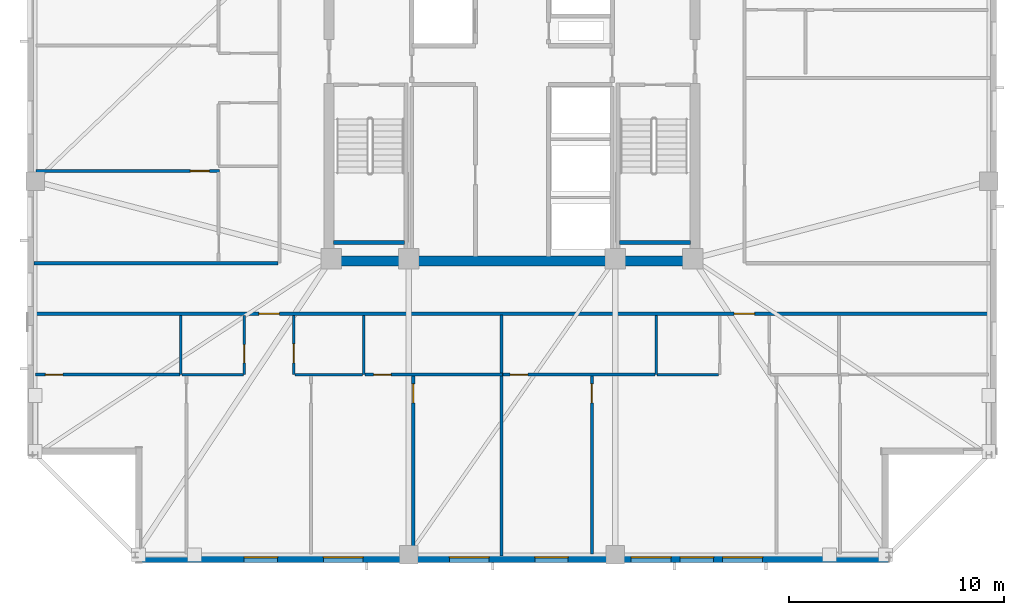
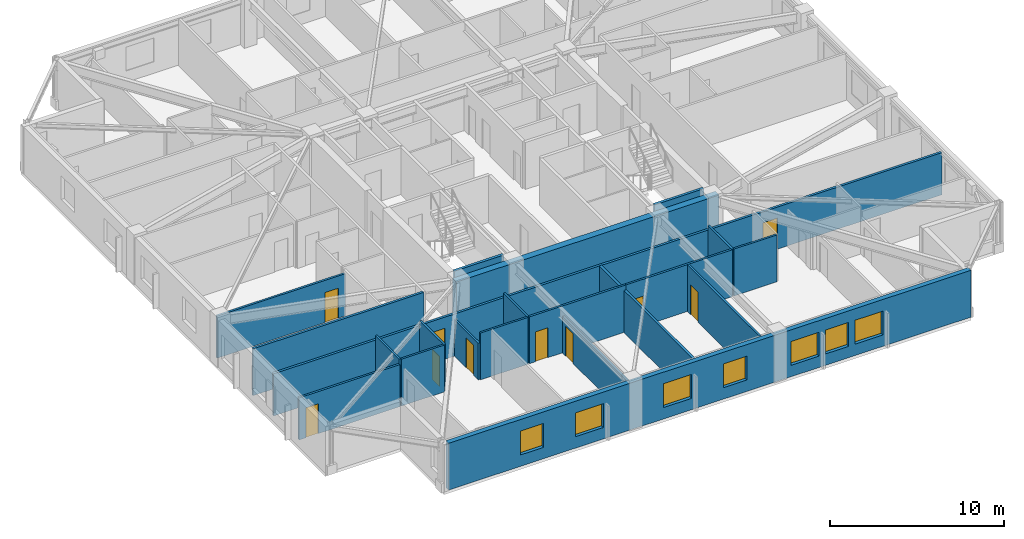
# One storey, part 7 of 17: 21 walls, 10 doors, 7 windows, 17 openings.
"""IFC4 building model written with IfcOpenShell, lengths in metres."""

from ifc_helpers import new_model, si_unit, direction, frame, frame_2d, origin, place, context, subcontext, project, spatial, rectangle, extrude, material, layer, layer_set, type_object, element, fill, save


model = new_model("IFC4")

# Units and contexts
model_context = context("Model", 3, precision=1e-05, world=origin(), true_north=direction((0.0, 1.0)))
body_context = subcontext(model_context, "Body", "Model", "MODEL_VIEW")
ifc_project = project(units=[si_unit("LENGTHUNIT", "METRE"), si_unit("AREAUNIT", "SQUARE_METRE"), si_unit("VOLUMEUNIT", "CUBIC_METRE"), si_unit("PLANEANGLEUNIT", "RADIAN"), si_unit("MASSUNIT", "GRAM", prefix="KILO")], contexts=[model_context])

# Site, building, storey
site_placement = place(None, origin())
site = spatial("IfcSite", under=ifc_project, at=site_placement, CompositionType="ELEMENT")
building_placement = place(site_placement, origin())
building = spatial("IfcBuilding", under=site, at=building_placement, Name="Cairnveth Concourse Tower", CompositionType="ELEMENT")
storey_placement = place(building_placement, frame((0.0, 0.0, 202.5)))
storey = spatial("IfcBuildingStorey", under=building, at=storey_placement, Name="L55", CompositionType="ELEMENT", Elevation=202.5)

# Wall, openings, doors
ifc_material_1 = material(Name="Gypsum Plasterboard Partition", Category="gypsum")
ifc_layer_1 = layer(ifc_material_1, 0.159912109375)
ifc_layer_set_1 = layer_set([ifc_layer_1], Name="Gypsum Plasterboard Partition")
wall_type_1 = type_object("IfcWallType", Name="ACOUSTIC PARTY WALL 180", PredefinedType="PARTITIONING", material=ifc_layer_set_1)
wall_1_placement = place(storey_placement, frame((29.804931640625, 28.050048828125, 0.0), z_axis=(0.0, 0.0, 1.0), x_axis=(1.0, 0.0, 0.0)))
wall_1 = element("IfcWall", 1, at=wall_1_placement, inside=storey, type_object=wall_type_1, Name="Interior Wall IW-L55-036", PredefinedType="PARTITIONING", context=body_context, shape_type="SweptSolid", body=[
    extrude(rectangle(XDim=44.39013671875, YDim=0.159912109375, at=frame_2d((22.195068359375, 0.0))), origin(), (0.0, 0.0, 1.0), 2.9580078125),
])
opening_1_placement = place(wall_1_placement, frame((10.43115234375, 0.0, 0.0)))
opening_1 = element("IfcOpeningElement", 2, at=opening_1_placement, cuts=wall_1, Name="Opening ID10", PredefinedType="OPENING", context=body_context, shape_type="SweptSolid", body=[
    extrude(rectangle(XDim=0.9599609375, YDim=2.179931640625, at=frame_2d((0.47998046875, 1.08984375))), frame((0.0, 0.08984375, 0.0), z_axis=(0.0, -1.0, 0.0), x_axis=(1.0, 0.0, 0.0)), (0.0, 0.0, 1.0), 0.179931640625),
])
opening_2_placement = place(wall_1_placement, frame((32.51123046875, 0.0, 0.0)))
opening_2 = element("IfcOpeningElement", 3, at=opening_2_placement, cuts=wall_1, Name="Opening ID10", PredefinedType="OPENING", context=body_context, shape_type="SweptSolid", body=[
    extrude(rectangle(XDim=0.9599609375, YDim=2.179931640625, at=frame_2d((0.47998046875, 1.08984375))), frame((0.0, 0.08984375, 0.0), z_axis=(0.0, -1.0, 0.0), x_axis=(1.0, 0.0, 0.0)), (0.0, 0.0, 1.0), 0.179931640625),
])
ifc_material_2 = material(Name="Solid Core Hardwood Timber Leaf", Category="wood")
door_type_1 = type_object("IfcDoorType", Name="FLAT ENTRANCE DOOR 960X2150", OperationType="NOTDEFINED", PredefinedType="DOOR", material=ifc_material_2)
door_1_placement = place(opening_1_placement, origin())
door_1 = element("IfcDoor", 4, at=door_1_placement, inside=storey, type_object=door_type_1, Name="Apartment L55S1 Entrance Door", OperationType="SINGLE_SWING_LEFT", OverallHeight=2.179931640625, OverallWidth=0.9599609375, PredefinedType="DOOR", context=body_context, shape_type="SweptSolid", body=[
    extrude(rectangle(XDim=0.9599609375, YDim=2.179931640625, at=frame_2d((0.47998046875, 1.08984375))), frame((0.0, 0.02490234375, 0.0), z_axis=(0.0, -1.0, 0.0), x_axis=(1.0, 0.0, 0.0)), (0.0, 0.0, 1.0), 0.050048828125),
])
fill(opening_1, door_1)
door_2_placement = place(opening_2_placement, origin())
door_2 = element("IfcDoor", 5, at=door_2_placement, inside=storey, type_object=door_type_1, Name="Apartment L55S2 Entrance Door", OperationType="SINGLE_SWING_LEFT", OverallHeight=2.179931640625, OverallWidth=0.9599609375, PredefinedType="DOOR", context=body_context, shape_type="SweptSolid", body=[
    extrude(rectangle(XDim=0.9599609375, YDim=2.179931640625, at=frame_2d((0.47998046875, 1.08984375))), frame((0.0, 0.02490234375, 0.0), z_axis=(0.0, -1.0, 0.0), x_axis=(1.0, 0.0, 0.0)), (0.0, 0.0, 1.0), 0.050048828125),
])
fill(opening_2, door_2)

# Walls
wall_2_placement = place(storey_placement, frame((29.804931640625, 30.39990234375, 0.0), z_axis=(0.0, 0.0, 1.0), x_axis=(1.0, 0.0, 0.0)))
element("IfcWall", 6, at=wall_2_placement, inside=storey, type_object=wall_type_1, Name="Interior Wall IW-L55-040", PredefinedType="PARTITIONING", context=body_context, shape_type="SweptSolid", body=[
    extrude(rectangle(XDim=11.330078125, YDim=0.159912109375, at=frame_2d((5.6650390625, 0.0))), origin(), (0.0, 0.0, 1.0), 3.2900390625),
])
wall_3_placement = place(storey_placement, frame((51.512451171875, 16.804931640625, 0.0), z_axis=(0.0, 0.0, 1.0), x_axis=(0.0, 1.0, 0.0)))
element("IfcWall", 7, at=wall_3_placement, inside=storey, type_object=wall_type_1, Name="Interior Wall IW-L55-055", PredefinedType="PARTITIONING", context=body_context, shape_type="SweptSolid", body=[
    extrude(rectangle(XDim=11.18017578125, YDim=0.159912109375, at=frame_2d((5.590087890625, 0.0))), origin(), (0.0, 0.0, 1.0), 2.9580078125),
])
ifc_material_3 = material(Name="Concrete N65 (65 MPa)", Category="concrete")
ifc_layer_2 = layer(ifc_material_3, 0.449951171875)
ifc_layer_set_2 = layer_set([ifc_layer_2], Name="Concrete N65 (65 MPa)")
wall_type_2 = type_object("IfcWallType", Name="CORE SHEAR WALL 450", PredefinedType="SHEAR", material=ifc_layer_set_2)
wall_4_placement = place(storey_placement, frame((43.27490234375, 30.5, 0.0), z_axis=(0.0, 0.0, 1.0), x_axis=(1.0, 0.0, 0.0)))
element("IfcWall", 8, at=wall_4_placement, inside=storey, type_object=wall_type_2, Name="Core South Shear Wall L55", PredefinedType="SHEAR", context=body_context, shape_type="SweptSolid", body=[
    extrude(rectangle(XDim=17.4501953125, YDim=0.449951171875, at=frame_2d((8.72509765625, 0.0))), origin(), (0.0, 0.0, 1.0), 3.2900390625),
])
ifc_material_4 = material(Name="Concrete N50 (50 MPa)", Category="concrete")
ifc_layer_3 = layer(ifc_material_4, 0.179931640625)
ifc_layer_set_3 = layer_set([ifc_layer_3], Name="Concrete N50 (50 MPa)")
wall_type_3 = type_object("IfcWallType", Name="FIRE SHAFT WALL 180", PredefinedType="SOLIDWALL", material=ifc_layer_set_3)
for number, where, z_axis, x_axis, name in (
    (9, (43.715087890625, 31.360107421875, 0.0), (0.0, 0.0, 1.0), (1.0, 0.0, 0.0), "Stair ST-1 Shaft Wall FAR L55"),
    (10, (57.0048828125, 31.360107421875, 0.0), (0.0, 0.0, 1.0), (1.0, 0.0, 0.0), "Stair ST-2 Shaft Wall FAR L55"),
):
    element("IfcWall", number, at=place(storey_placement, frame(where, z_axis=z_axis, x_axis=x_axis)), inside=storey, type_object=wall_type_3, Name=name, PredefinedType="SOLIDWALL", context=body_context, shape_type="SweptSolid", body=[
        extrude(rectangle(XDim=3.280029296875, YDim=0.179931640625, at=frame_2d((1.64013671875, 0.0))), origin(), (0.0, 0.0, 1.0), 3.2900390625),
    ])

# Wall, opening, door
ifc_layer_4 = layer(ifc_material_1, 0.139892578125)
ifc_layer_set_4 = layer_set([ifc_layer_4], Name="Gypsum Plasterboard Partition")
wall_type_4 = type_object("IfcWallType", Name="GYPSUM STUD PARTITION 140", PredefinedType="PARTITIONING", material=ifc_layer_set_4)
wall_5_placement = place(storey_placement, frame((29.8701171875, 25.219970703125, 0.0), z_axis=(0.0, 0.0, 1.0), x_axis=(1.0, 0.0, 0.0)))
wall_5 = element("IfcWall", 11, at=wall_5_placement, inside=storey, type_object=wall_type_4, Name="Interior Wall IW-L55-051", PredefinedType="PARTITIONING", context=body_context, shape_type="SweptSolid", body=[
    extrude(rectangle(XDim=6.6962890625, YDim=0.139892578125, at=frame_2d((3.34814453125, 0.0))), origin(), (0.0, 0.0, 1.0), 2.9580078125),
])
opening_3_placement = place(wall_5_placement, frame((0.449951171875, 0.0, 0.0)))
opening_3 = element("IfcOpeningElement", 12, at=opening_3_placement, cuts=wall_5, Name="Opening ID22", PredefinedType="OPENING", context=body_context, shape_type="SweptSolid", body=[
    extrude(rectangle(XDim=0.820068359375, YDim=2.10009765625, at=frame_2d((0.41015625, 1.050048828125))), frame((0.0, 0.079833984375, 0.0), z_axis=(0.0, -1.0, 0.0), x_axis=(1.0, 0.0, 0.0)), (0.0, 0.0, 1.0), 0.159912109375),
])
door_type_2 = type_object("IfcDoorType", Name="INTERIOR WC DOOR 820X2100", OperationType="NOTDEFINED", PredefinedType="DOOR", material=ifc_material_2)
door_3_placement = place(opening_3_placement, origin())
door_3 = element("IfcDoor", 13, at=door_3_placement, inside=storey, type_object=door_type_2, Name="L55S1 Dressing Door", OperationType="SINGLE_SWING_RIGHT", OverallHeight=2.10009765625, OverallWidth=0.820068359375, PredefinedType="DOOR", context=body_context, shape_type="SweptSolid", body=[
    extrude(rectangle(XDim=0.820068359375, YDim=2.10009765625, at=frame_2d((0.41015625, 1.050048828125))), frame((0.0, 0.02490234375, 0.0), z_axis=(0.0, -1.0, 0.0), x_axis=(1.0, 0.0, 0.0)), (0.0, 0.0, 1.0), 0.050048828125),
])
fill(opening_3, door_3)

wall_6_placement = place(storey_placement, frame((47.41259765625, 16.8798828125, 0.0), z_axis=(0.0, 0.0, 1.0), x_axis=(0.0, 1.0, 0.0)))
wall_6 = element("IfcWall", 14, at=wall_6_placement, inside=storey, type_object=wall_type_4, Name="Interior Wall IW-L55-052", PredefinedType="PARTITIONING", context=body_context, shape_type="SweptSolid", body=[
    extrude(rectangle(XDim=8.380126953125, YDim=0.139892578125, at=frame_2d((4.18994140625, 0.0))), origin(), (0.0, 0.0, 1.0), 2.572998046875),
])
opening_4_placement = place(wall_6_placement, frame((7.030029296875, 0.0, 0.0)))
opening_4 = element("IfcOpeningElement", 15, at=opening_4_placement, cuts=wall_6, Name="Opening ID18", PredefinedType="OPENING", context=body_context, shape_type="SweptSolid", body=[
    extrude(rectangle(XDim=0.8798828125, YDim=2.10009765625, at=frame_2d((0.43994140625, 1.050048828125))), frame((0.0, 0.079833984375, 0.0), z_axis=(0.0, -1.0, 0.0), x_axis=(1.0, 0.0, 0.0)), (0.0, 0.0, 1.0), 0.159912109375),
])
door_type_3 = type_object("IfcDoorType", Name="INTERIOR SINGLE DOOR 880X2100", OperationType="NOTDEFINED", PredefinedType="DOOR", material=ifc_material_2)
door_4_placement = place(opening_4_placement, origin())
door_4 = element("IfcDoor", 16, at=door_4_placement, inside=storey, type_object=door_type_3, Name="L55S1 Bedroom 2 Door", OperationType="SINGLE_SWING_LEFT", OverallHeight=2.10009765625, OverallWidth=0.8798828125, PredefinedType="DOOR", context=body_context, shape_type="SweptSolid", body=[
    extrude(rectangle(XDim=0.8798828125, YDim=2.10009765625, at=frame_2d((0.43994140625, 1.050048828125))), frame((0.0, 0.02490234375, 0.0), z_axis=(0.0, -1.0, 0.0), x_axis=(1.0, 0.0, 0.0)), (0.0, 0.0, 1.0), 0.050048828125),
])
fill(opening_4, door_4)

wall_7_placement = place(storey_placement, frame((45.166259765625, 25.219970703125, 0.0), z_axis=(0.0, 0.0, 1.0), x_axis=(1.0, 0.0, 0.0)))
wall_7 = element("IfcWall", 17, at=wall_7_placement, inside=storey, type_object=wall_type_4, Name="Interior Wall IW-L55-053", PredefinedType="PARTITIONING", context=body_context, shape_type="SweptSolid", body=[
    extrude(rectangle(XDim=6.396240234375, YDim=0.139892578125, at=frame_2d((3.1982421875, 0.0))), origin(), (0.0, 0.0, 1.0), 3.2900390625),
])
opening_5_placement = place(wall_7_placement, frame((0.39990234375, 0.0, 0.0)))
opening_5 = element("IfcOpeningElement", 18, at=opening_5_placement, cuts=wall_7, Name="Opening ID22", PredefinedType="OPENING", context=body_context, shape_type="SweptSolid", body=[
    extrude(rectangle(XDim=0.820068359375, YDim=2.10009765625, at=frame_2d((0.41015625, 1.050048828125))), frame((0.0, 0.079833984375, 0.0), z_axis=(0.0, -1.0, 0.0), x_axis=(1.0, 0.0, 0.0)), (0.0, 0.0, 1.0), 0.159912109375),
])
door_5_placement = place(opening_5_placement, origin())
door_5 = element("IfcDoor", 19, at=door_5_placement, inside=storey, type_object=door_type_2, Name="L55S1 Utility Door", OperationType="SINGLE_SWING_RIGHT", OverallHeight=2.10009765625, OverallWidth=0.820068359375, PredefinedType="DOOR", context=body_context, shape_type="SweptSolid", body=[
    extrude(rectangle(XDim=0.820068359375, YDim=2.10009765625, at=frame_2d((0.41015625, 1.050048828125))), frame((0.0, 0.02490234375, 0.0), z_axis=(0.0, -1.0, 0.0), x_axis=(1.0, 0.0, 0.0)), (0.0, 0.0, 1.0), 0.050048828125),
])
fill(opening_5, door_5)

wall_8_placement = place(storey_placement, frame((55.71240234375, 16.8798828125, 0.0), z_axis=(0.0, 0.0, 1.0), x_axis=(0.0, 1.0, 0.0)))
wall_8 = element("IfcWall", 20, at=wall_8_placement, inside=storey, type_object=wall_type_4, Name="Interior Wall IW-L55-062", PredefinedType="PARTITIONING", context=body_context, shape_type="SweptSolid", body=[
    extrude(rectangle(XDim=8.380126953125, YDim=0.139892578125, at=frame_2d((4.18994140625, 0.0))), origin(), (0.0, 0.0, 1.0), 3.2900390625),
])
opening_6_placement = place(wall_8_placement, frame((7.030029296875, 0.0, 0.0)))
opening_6 = element("IfcOpeningElement", 21, at=opening_6_placement, cuts=wall_8, Name="Opening ID18", PredefinedType="OPENING", context=body_context, shape_type="SweptSolid", body=[
    extrude(rectangle(XDim=0.8798828125, YDim=2.10009765625, at=frame_2d((0.43994140625, 1.050048828125))), frame((0.0, 0.079833984375, 0.0), z_axis=(0.0, -1.0, 0.0), x_axis=(1.0, 0.0, 0.0)), (0.0, 0.0, 1.0), 0.159912109375),
])
door_6_placement = place(opening_6_placement, origin())
door_6 = element("IfcDoor", 22, at=door_6_placement, inside=storey, type_object=door_type_3, Name="L55S2 Master Bedroom Door", OperationType="SINGLE_SWING_LEFT", OverallHeight=2.10009765625, OverallWidth=0.8798828125, PredefinedType="DOOR", context=body_context, shape_type="SweptSolid", body=[
    extrude(rectangle(XDim=0.8798828125, YDim=2.10009765625, at=frame_2d((0.43994140625, 1.050048828125))), frame((0.0, 0.02490234375, 0.0), z_axis=(0.0, -1.0, 0.0), x_axis=(1.0, 0.0, 0.0)), (0.0, 0.0, 1.0), 0.050048828125),
])
fill(opening_6, door_6)

wall_9_placement = place(storey_placement, frame((51.577392578125, 25.219970703125, 0.0), z_axis=(0.0, 0.0, 1.0), x_axis=(1.0, 0.0, 0.0)))
wall_9 = element("IfcWall", 23, at=wall_9_placement, inside=storey, type_object=wall_type_4, Name="Interior Wall IW-L55-063", PredefinedType="PARTITIONING", context=body_context, shape_type="SweptSolid", body=[
    extrude(rectangle(XDim=7.06884765625, YDim=0.139892578125, at=frame_2d((3.534423828125, 0.0))), origin(), (0.0, 0.0, 1.0), 3.2900390625),
])
opening_7_placement = place(wall_9_placement, frame((0.3349609375, 0.0, 0.0)))
opening_7 = element("IfcOpeningElement", 24, at=opening_7_placement, cuts=wall_9, Name="Opening ID22", PredefinedType="OPENING", context=body_context, shape_type="SweptSolid", body=[
    extrude(rectangle(XDim=0.820068359375, YDim=2.10009765625, at=frame_2d((0.41015625, 1.050048828125))), frame((0.0, 0.079833984375, 0.0), z_axis=(0.0, -1.0, 0.0), x_axis=(1.0, 0.0, 0.0)), (0.0, 0.0, 1.0), 0.159912109375),
])
door_7_placement = place(opening_7_placement, origin())
door_7 = element("IfcDoor", 25, at=door_7_placement, inside=storey, type_object=door_type_2, Name="L55S2 Dressing Door", OperationType="SINGLE_SWING_RIGHT", OverallHeight=2.10009765625, OverallWidth=0.820068359375, PredefinedType="DOOR", context=body_context, shape_type="SweptSolid", body=[
    extrude(rectangle(XDim=0.820068359375, YDim=2.10009765625, at=frame_2d((0.41015625, 1.050048828125))), frame((0.0, 0.02490234375, 0.0), z_axis=(0.0, -1.0, 0.0), x_axis=(1.0, 0.0, 0.0)), (0.0, 0.0, 1.0), 0.050048828125),
])
fill(opening_7, door_7)

wall_10_placement = place(storey_placement, frame((29.8798828125, 34.679931640625, 0.0), z_axis=(0.0, 0.0, 1.0), x_axis=(1.0, 0.0, 0.0)))
wall_10 = element("IfcWall", 26, at=wall_10_placement, inside=storey, type_object=wall_type_4, Name="Interior Wall IW-L55-096", PredefinedType="PARTITIONING", context=body_context, shape_type="SweptSolid", body=[
    extrude(rectangle(XDim=8.530029296875, YDim=0.139892578125, at=frame_2d((4.26513671875, 0.0))), origin(), (0.0, 0.0, 1.0), 2.9580078125),
])
opening_8_placement = place(wall_10_placement, frame((7.179931640625, 0.0, 0.0)))
opening_8 = element("IfcOpeningElement", 27, at=opening_8_placement, cuts=wall_10, Name="Opening ID18", PredefinedType="OPENING", context=body_context, shape_type="SweptSolid", body=[
    extrude(rectangle(XDim=0.8798828125, YDim=2.10009765625, at=frame_2d((0.43994140625, 1.050048828125))), frame((0.0, 0.079833984375, 0.0), z_axis=(0.0, -1.0, 0.0), x_axis=(1.0, 0.0, 0.0)), (0.0, 0.0, 1.0), 0.159912109375),
])
door_8_placement = place(opening_8_placement, origin())
door_8 = element("IfcDoor", 28, at=door_8_placement, inside=storey, type_object=door_type_3, Name="L55W1 Master Bedroom Door", OperationType="SINGLE_SWING_LEFT", OverallHeight=2.10009765625, OverallWidth=0.8798828125, PredefinedType="DOOR", context=body_context, shape_type="SweptSolid", body=[
    extrude(rectangle(XDim=0.8798828125, YDim=2.10009765625, at=frame_2d((0.43994140625, 1.050048828125))), frame((0.0, 0.02490234375, 0.0), z_axis=(0.0, -1.0, 0.0), x_axis=(1.0, 0.0, 0.0)), (0.0, 0.0, 1.0), 0.050048828125),
])
fill(opening_8, door_8)

# Wall
ifc_layer_5 = layer(ifc_material_1, 0.1298828125)
ifc_layer_set_5 = layer_set([ifc_layer_5], Name="Gypsum Plasterboard Partition")
wall_type_5 = type_object("IfcWallType", Name="WET AREA PARTITION 140", PredefinedType="PLUMBINGWALL", material=ifc_layer_set_5)
wall_11_placement = place(storey_placement, frame((36.6162109375, 25.219970703125, 0.0), z_axis=(0.0, 0.0, 1.0), x_axis=(0.0, 1.0, 0.0)))
element("IfcWall", 29, at=wall_11_placement, inside=storey, type_object=wall_type_5, Name="Interior Wall IW-L55-044", PredefinedType="PLUMBINGWALL", context=body_context, shape_type="SweptSolid", body=[
    extrude(rectangle(XDim=2.75, YDim=0.1298828125, at=frame_2d((1.375, 0.0))), origin(), (0.0, 0.0, 1.0), 3.2900390625),
])

# Wall, opening, door
wall_12_placement = place(storey_placement, frame((39.56640625, 25.219970703125, 0.0), z_axis=(0.0, 0.0, 1.0), x_axis=(0.0, 1.0, 0.0)))
wall_12 = element("IfcWall", 30, at=wall_12_placement, inside=storey, type_object=wall_type_5, Name="Interior Wall IW-L55-045", PredefinedType="PLUMBINGWALL", context=body_context, shape_type="SweptSolid", body=[
    extrude(rectangle(XDim=2.75, YDim=0.1298828125, at=frame_2d((1.375, 0.0))), origin(), (0.0, 0.0, 1.0), 3.2900390625),
])
opening_9_placement = place(wall_12_placement, frame((0.550048828125, 0.0, 0.0)))
opening_9 = element("IfcOpeningElement", 31, at=opening_9_placement, cuts=wall_12, Name="Opening ID21", PredefinedType="OPENING", context=body_context, shape_type="SweptSolid", body=[
    extrude(rectangle(XDim=0.85009765625, YDim=2.080078125, at=frame_2d((0.425048828125, 1.0400390625))), frame((0.0, 0.074951171875, 0.0), z_axis=(0.0, -1.0, 0.0), x_axis=(1.0, 0.0, 0.0)), (0.0, 0.0, 1.0), 0.14990234375),
])
door_type_4 = type_object("IfcDoorType", Name="INTERIOR WC DOOR 850X2100", OperationType="NOTDEFINED", PredefinedType="DOOR", material=ifc_material_2)
door_9_placement = place(opening_9_placement, origin())
door_9 = element("IfcDoor", 32, at=door_9_placement, inside=storey, type_object=door_type_4, Name="L55S1 Bathroom Door", OperationType="SINGLE_SWING_RIGHT", OverallHeight=2.080078125, OverallWidth=0.85009765625, PredefinedType="DOOR", context=body_context, shape_type="SweptSolid", body=[
    extrude(rectangle(XDim=0.85009765625, YDim=2.080078125, at=frame_2d((0.425048828125, 1.0400390625))), frame((0.0, 0.02490234375, 0.0), z_axis=(0.0, -1.0, 0.0), x_axis=(1.0, 0.0, 0.0)), (0.0, 0.0, 1.0), 0.050048828125),
])
fill(opening_9, door_9)

# Walls
wall_13_placement = place(storey_placement, frame((36.666259765625, 25.219970703125, 0.0), z_axis=(0.0, 0.0, 1.0), x_axis=(1.0, 0.0, 0.0)))
element("IfcWall", 33, at=wall_13_placement, inside=storey, type_object=wall_type_5, Name="Interior Wall IW-L55-046", PredefinedType="PLUMBINGWALL", context=body_context, shape_type="SweptSolid", body=[
    extrude(rectangle(XDim=2.85009765625, YDim=0.1298828125, at=frame_2d((1.425048828125, 0.0))), origin(), (0.0, 0.0, 1.0), 3.2900390625),
])
wall_14_placement = place(storey_placement, frame((45.1162109375, 25.219970703125, 0.0), z_axis=(0.0, 0.0, 1.0), x_axis=(0.0, 1.0, 0.0)))
element("IfcWall", 34, at=wall_14_placement, inside=storey, type_object=wall_type_5, Name="Interior Wall IW-L55-047", PredefinedType="PLUMBINGWALL", context=body_context, shape_type="SweptSolid", body=[
    extrude(rectangle(XDim=2.75, YDim=0.1298828125, at=frame_2d((1.375, 0.0))), origin(), (0.0, 0.0, 1.0), 3.2900390625),
])

# Wall, opening, door
wall_15_placement = place(storey_placement, frame((41.8662109375, 25.219970703125, 0.0), z_axis=(0.0, 0.0, 1.0), x_axis=(0.0, 1.0, 0.0)))
wall_15 = element("IfcWall", 35, at=wall_15_placement, inside=storey, type_object=wall_type_5, Name="Interior Wall IW-L55-048", PredefinedType="PLUMBINGWALL", context=body_context, shape_type="SweptSolid", body=[
    extrude(rectangle(XDim=2.75, YDim=0.1298828125, at=frame_2d((1.375, 0.0))), origin(), (0.0, 0.0, 1.0), 2.572998046875),
])
opening_10_placement = place(wall_15_placement, frame((0.550048828125, 0.0, 0.0)))
opening_10 = element("IfcOpeningElement", 36, at=opening_10_placement, cuts=wall_15, Name="Opening ID18", PredefinedType="OPENING", context=body_context, shape_type="SweptSolid", body=[
    extrude(rectangle(XDim=0.8798828125, YDim=2.10009765625, at=frame_2d((0.43994140625, 1.050048828125))), frame((0.0, 0.074951171875, 0.0), z_axis=(0.0, -1.0, 0.0), x_axis=(1.0, 0.0, 0.0)), (0.0, 0.0, 1.0), 0.14990234375),
])
door_10_placement = place(opening_10_placement, origin())
door_10 = element("IfcDoor", 37, at=door_10_placement, inside=storey, type_object=door_type_3, Name="L55S1 Kitchen Door", OperationType="SINGLE_SWING_LEFT", OverallHeight=2.10009765625, OverallWidth=0.8798828125, PredefinedType="DOOR", context=body_context, shape_type="SweptSolid", body=[
    extrude(rectangle(XDim=0.8798828125, YDim=2.10009765625, at=frame_2d((0.43994140625, 1.050048828125))), frame((0.0, 0.02490234375, 0.0), z_axis=(0.0, -1.0, 0.0), x_axis=(1.0, 0.0, 0.0)), (0.0, 0.0, 1.0), 0.050048828125),
])
fill(opening_10, door_10)

# Walls
wall_16_placement = place(storey_placement, frame((41.916259765625, 25.219970703125, 0.0), z_axis=(0.0, 0.0, 1.0), x_axis=(1.0, 0.0, 0.0)))
element("IfcWall", 38, at=wall_16_placement, inside=storey, type_object=wall_type_5, Name="Interior Wall IW-L55-049", PredefinedType="PLUMBINGWALL", context=body_context, shape_type="SweptSolid", body=[
    extrude(rectangle(XDim=3.150146484375, YDim=0.1298828125, at=frame_2d((1.5751953125, 0.0))), origin(), (0.0, 0.0, 1.0), 3.2900390625),
])
wall_17_placement = place(storey_placement, frame((58.6962890625, 25.219970703125, 0.0), z_axis=(0.0, 0.0, 1.0), x_axis=(0.0, 1.0, 0.0)))
element("IfcWall", 39, at=wall_17_placement, inside=storey, type_object=wall_type_5, Name="Interior Wall IW-L55-056", PredefinedType="PLUMBINGWALL", context=body_context, shape_type="SweptSolid", body=[
    extrude(rectangle(XDim=2.75, YDim=0.1298828125, at=frame_2d((1.375, 0.0))), origin(), (0.0, 0.0, 1.0), 3.2900390625),
])
wall_18_placement = place(storey_placement, frame((58.746337890625, 25.219970703125, 0.0), z_axis=(0.0, 0.0, 1.0), x_axis=(1.0, 0.0, 0.0)))
element("IfcWall", 40, at=wall_18_placement, inside=storey, type_object=wall_type_5, Name="Interior Wall IW-L55-058", PredefinedType="PLUMBINGWALL", context=body_context, shape_type="SweptSolid", body=[
    extrude(rectangle(XDim=2.849853515625, YDim=0.1298828125, at=frame_2d((1.4248046875, 0.0))), origin(), (0.0, 0.0, 1.0), 3.2900390625),
])

# Wall, openings, windows
ifc_material_5 = material(Name="Melbourne Buff Fired Clay Brick Masonry", Category="masonry")
ifc_layer_6 = layer(ifc_material_5, 0.320068359375)
ifc_layer_set_6 = layer_set([ifc_layer_6], Name="Melbourne Buff Fired Clay Brick Masonry")
wall_type_6 = type_object("IfcWallType", Name="ZONE 3 BRICK PIER SPANDREL WALL 320", PredefinedType="SOLIDWALL", material=ifc_layer_set_6)
wall_19_placement = place(storey_placement, frame((69.5, 16.659912109375, 0.0), z_axis=(0.0, 0.0, 1.0), x_axis=(-1.0, 0.0, 0.0)))
wall_19 = element("IfcWall", 41, at=wall_19_placement, inside=storey, type_object=wall_type_6, Name="Exterior Wall EW-L55-S06", PredefinedType="SOLIDWALL", context=body_context, shape_type="SweptSolid", body=[
    extrude(rectangle(XDim=34.701904296875, YDim=0.320068359375, at=frame_2d((17.35107421875, 0.0))), origin(), (0.0, 0.0, 1.0), 3.2900390625),
])
opening_11_placement = place(wall_19_placement, frame((5.862548828125, 0.0, 0.800048828125)))
opening_11 = element("IfcOpeningElement", 42, at=opening_11_placement, cuts=wall_19, Name="Opening W08", PredefinedType="OPENING", context=body_context, shape_type="SweptSolid", body=[
    extrude(rectangle(XDim=1.85009765625, YDim=1.677978515625, at=frame_2d((0.925048828125, 0.8388671875))), frame((0.0, 0.169921875, 0.0), z_axis=(0.0, -1.0, 0.0), x_axis=(1.0, 0.0, 0.0)), (0.0, 0.0, 1.0), 0.340087890625),
])
opening_12_placement = place(wall_19_placement, frame((8.137939453125, 0.0, 0.800048828125)))
opening_12 = element("IfcOpeningElement", 43, at=opening_12_placement, cuts=wall_19, Name="Opening W07", PredefinedType="OPENING", context=body_context, shape_type="SweptSolid", body=[
    extrude(rectangle(XDim=1.550048828125, YDim=1.677978515625, at=frame_2d((0.77490234375, 0.8388671875))), frame((0.0, 0.169921875, 0.0), z_axis=(0.0, -1.0, 0.0), x_axis=(1.0, 0.0, 0.0)), (0.0, 0.0, 1.0), 0.340087890625),
])
opening_13_placement = place(wall_19_placement, frame((10.113037109375, 0.0, 0.800048828125)))
opening_13 = element("IfcOpeningElement", 44, at=opening_13_placement, cuts=wall_19, Name="Opening W08", PredefinedType="OPENING", context=body_context, shape_type="SweptSolid", body=[
    extrude(rectangle(XDim=1.85009765625, YDim=1.677978515625, at=frame_2d((0.925048828125, 0.8388671875))), frame((0.0, 0.169921875, 0.0), z_axis=(0.0, -1.0, 0.0), x_axis=(1.0, 0.0, 0.0)), (0.0, 0.0, 1.0), 0.340087890625),
])
opening_14_placement = place(wall_19_placement, frame((14.888427734375, 0.0, 0.800048828125)))
opening_14 = element("IfcOpeningElement", 45, at=opening_14_placement, cuts=wall_19, Name="Opening W07", PredefinedType="OPENING", context=body_context, shape_type="SweptSolid", body=[
    extrude(rectangle(XDim=1.550048828125, YDim=1.677978515625, at=frame_2d((0.77490234375, 0.8388671875))), frame((0.0, 0.169921875, 0.0), z_axis=(0.0, -1.0, 0.0), x_axis=(1.0, 0.0, 0.0)), (0.0, 0.0, 1.0), 0.340087890625),
])
opening_15_placement = place(wall_19_placement, frame((18.563720703125, 0.0, 0.800048828125)))
opening_15 = element("IfcOpeningElement", 46, at=opening_15_placement, cuts=wall_19, Name="Opening W08", PredefinedType="OPENING", context=body_context, shape_type="SweptSolid", body=[
    extrude(rectangle(XDim=1.85009765625, YDim=1.677978515625, at=frame_2d((0.925048828125, 0.8388671875))), frame((0.0, 0.169921875, 0.0), z_axis=(0.0, -1.0, 0.0), x_axis=(1.0, 0.0, 0.0)), (0.0, 0.0, 1.0), 0.340087890625),
])
opening_16_placement = place(wall_19_placement, frame((24.4140625, 0.0, 0.800048828125)))
opening_16 = element("IfcOpeningElement", 47, at=opening_16_placement, cuts=wall_19, Name="Opening W08", PredefinedType="OPENING", context=body_context, shape_type="SweptSolid", body=[
    extrude(rectangle(XDim=1.85009765625, YDim=1.677978515625, at=frame_2d((0.925048828125, 0.8388671875))), frame((0.0, 0.169921875, 0.0), z_axis=(0.0, -1.0, 0.0), x_axis=(1.0, 0.0, 0.0)), (0.0, 0.0, 1.0), 0.340087890625),
])
opening_17_placement = place(wall_19_placement, frame((28.389404296875, 0.0, 0.800048828125)))
opening_17 = element("IfcOpeningElement", 48, at=opening_17_placement, cuts=wall_19, Name="Opening W07", PredefinedType="OPENING", context=body_context, shape_type="SweptSolid", body=[
    extrude(rectangle(XDim=1.550048828125, YDim=1.677978515625, at=frame_2d((0.77490234375, 0.8388671875))), frame((0.0, 0.169921875, 0.0), z_axis=(0.0, -1.0, 0.0), x_axis=(1.0, 0.0, 0.0)), (0.0, 0.0, 1.0), 0.340087890625),
])
ifc_material_6 = material(Name="Double Glazed Low-E Clear Glass", Category="glass")
window_type_1 = type_object("IfcWindowType", Name="DEEP-SET APARTMENT LIVING WINDOW 1850X1850", PartitioningType="DOUBLE_PANEL_VERTICAL", PredefinedType="WINDOW", material=ifc_material_6)
window_1_placement = place(opening_11_placement, origin())
window_1 = element("IfcWindow", 49, at=window_1_placement, inside=storey, type_object=window_type_1, Name="Gothic Lancet Window L55-6-1", OverallHeight=1.677978515625, OverallWidth=1.85009765625, PartitioningType="SINGLE_PANEL", PredefinedType="WINDOW", context=body_context, shape_type="SweptSolid", body=[
    extrude(rectangle(XDim=1.85009765625, YDim=1.677978515625, at=frame_2d((0.925048828125, 0.8388671875))), frame((0.0, -0.050048828125, 0.0), z_axis=(0.0, -1.0, 0.0), x_axis=(1.0, 0.0, 0.0)), (0.0, 0.0, 1.0), 0.06005859375),
])
fill(opening_11, window_1)
window_2_placement = place(opening_13_placement, origin())
window_2 = element("IfcWindow", 50, at=window_2_placement, inside=storey, type_object=window_type_1, Name="Gothic Lancet Window L55-6-3", OverallHeight=1.677978515625, OverallWidth=1.85009765625, PartitioningType="SINGLE_PANEL", PredefinedType="WINDOW", context=body_context, shape_type="SweptSolid", body=[
    extrude(rectangle(XDim=1.85009765625, YDim=1.677978515625, at=frame_2d((0.925048828125, 0.8388671875))), frame((0.0, -0.050048828125, 0.0), z_axis=(0.0, -1.0, 0.0), x_axis=(1.0, 0.0, 0.0)), (0.0, 0.0, 1.0), 0.06005859375),
])
fill(opening_13, window_2)
window_3_placement = place(opening_15_placement, origin())
window_3 = element("IfcWindow", 51, at=window_3_placement, inside=storey, type_object=window_type_1, Name="Gothic Lancet Window L55-6-5", OverallHeight=1.677978515625, OverallWidth=1.85009765625, PartitioningType="SINGLE_PANEL", PredefinedType="WINDOW", context=body_context, shape_type="SweptSolid", body=[
    extrude(rectangle(XDim=1.85009765625, YDim=1.677978515625, at=frame_2d((0.925048828125, 0.8388671875))), frame((0.0, -0.050048828125, 0.0), z_axis=(0.0, -1.0, 0.0), x_axis=(1.0, 0.0, 0.0)), (0.0, 0.0, 1.0), 0.06005859375),
])
fill(opening_15, window_3)
window_4_placement = place(opening_16_placement, origin())
window_4 = element("IfcWindow", 52, at=window_4_placement, inside=storey, type_object=window_type_1, Name="Gothic Lancet Window L55-6-7", OverallHeight=1.677978515625, OverallWidth=1.85009765625, PartitioningType="SINGLE_PANEL", PredefinedType="WINDOW", context=body_context, shape_type="SweptSolid", body=[
    extrude(rectangle(XDim=1.85009765625, YDim=1.677978515625, at=frame_2d((0.925048828125, 0.8388671875))), frame((0.0, -0.050048828125, 0.0), z_axis=(0.0, -1.0, 0.0), x_axis=(1.0, 0.0, 0.0)), (0.0, 0.0, 1.0), 0.06005859375),
])
fill(opening_16, window_4)
window_type_2 = type_object("IfcWindowType", Name="DEEP-SET APARTMENT WINDOW 1550X1800", PartitioningType="DOUBLE_PANEL_VERTICAL", PredefinedType="WINDOW", material=ifc_material_6)
window_5_placement = place(opening_12_placement, origin())
window_5 = element("IfcWindow", 53, at=window_5_placement, inside=storey, type_object=window_type_2, Name="Gothic Lancet Window L55-6-2", OverallHeight=1.677978515625, OverallWidth=1.550048828125, PartitioningType="SINGLE_PANEL", PredefinedType="WINDOW", context=body_context, shape_type="SweptSolid", body=[
    extrude(rectangle(XDim=1.550048828125, YDim=1.677978515625, at=frame_2d((0.77490234375, 0.8388671875))), frame((0.0, -0.050048828125, 0.0), z_axis=(0.0, -1.0, 0.0), x_axis=(1.0, 0.0, 0.0)), (0.0, 0.0, 1.0), 0.06005859375),
])
fill(opening_12, window_5)
window_6_placement = place(opening_14_placement, origin())
window_6 = element("IfcWindow", 54, at=window_6_placement, inside=storey, type_object=window_type_2, Name="Gothic Lancet Window L55-6-4", OverallHeight=1.677978515625, OverallWidth=1.550048828125, PartitioningType="SINGLE_PANEL", PredefinedType="WINDOW", context=body_context, shape_type="SweptSolid", body=[
    extrude(rectangle(XDim=1.550048828125, YDim=1.677978515625, at=frame_2d((0.77490234375, 0.8388671875))), frame((0.0, -0.050048828125, 0.0), z_axis=(0.0, -1.0, 0.0), x_axis=(1.0, 0.0, 0.0)), (0.0, 0.0, 1.0), 0.06005859375),
])
fill(opening_14, window_6)
window_7_placement = place(opening_17_placement, origin())
window_7 = element("IfcWindow", 55, at=window_7_placement, inside=storey, type_object=window_type_2, Name="Gothic Lancet Window L55-6-8", OverallHeight=1.677978515625, OverallWidth=1.550048828125, PartitioningType="SINGLE_PANEL", PredefinedType="WINDOW", context=body_context, shape_type="SweptSolid", body=[
    extrude(rectangle(XDim=1.550048828125, YDim=1.677978515625, at=frame_2d((0.77490234375, 0.8388671875))), frame((0.0, -0.050048828125, 0.0), z_axis=(0.0, -1.0, 0.0), x_axis=(1.0, 0.0, 0.0)), (0.0, 0.0, 1.0), 0.06005859375),
])
fill(opening_17, window_7)

save(model, "model.ifc")
